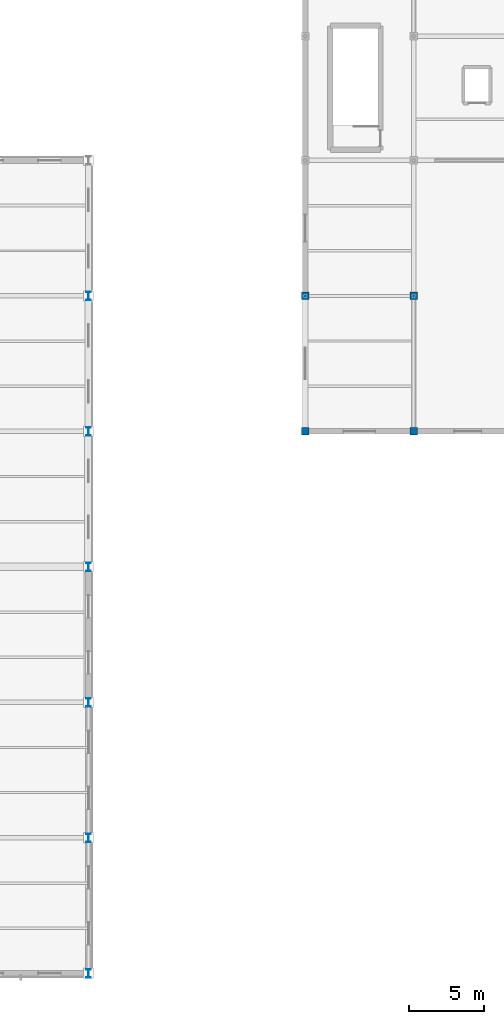
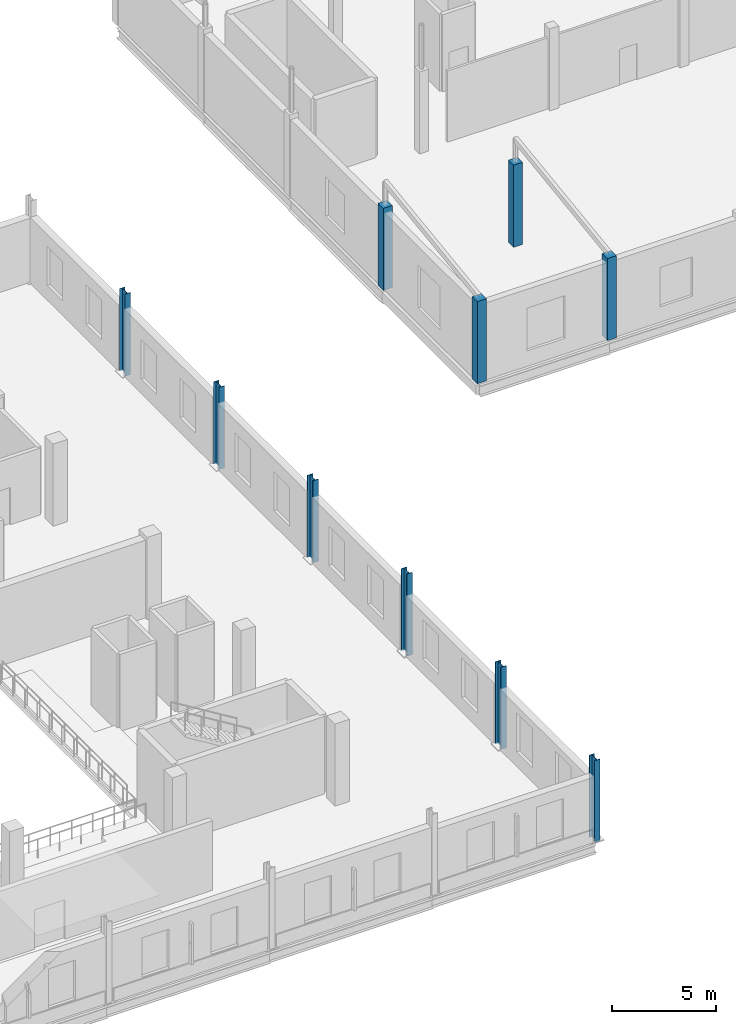
# One storey, part 3 of 35: 10 columns.
"""IFC4 building model written with IfcOpenShell, lengths in metres."""

from ifc_helpers import new_model, si_unit, direction, frame, origin, origin_2d, place, context, subcontext, project, spatial, rectangle, i_section, extrude, material, material_profile, profile_set, type_object, element, save


model = new_model("IFC4")

# Units and contexts
model_context = context("Model", 3, precision=1e-05, world=origin(), true_north=direction((0.0, 1.0)))
body_context = subcontext(model_context, "Body", "Model", "MODEL_VIEW")
ifc_project = project(units=[si_unit("LENGTHUNIT", "METRE"), si_unit("AREAUNIT", "SQUARE_METRE"), si_unit("VOLUMEUNIT", "CUBIC_METRE"), si_unit("PLANEANGLEUNIT", "RADIAN"), si_unit("MASSUNIT", "GRAM", prefix="KILO")], contexts=[model_context])

# Site, building, storey
site_placement = place(None, origin())
site = spatial("IfcSite", under=ifc_project, at=site_placement, CompositionType="ELEMENT")
building_placement = place(site_placement, origin())
building = spatial("IfcBuilding", under=site, at=building_placement, Name="Sundgate Opera House", CompositionType="ELEMENT")
storey_placement = place(building_placement, frame((0.0, 0.0, 21.60009765625)))
storey = spatial("IfcBuildingStorey", under=building, at=storey_placement, Name="L04", CompositionType="ELEMENT", Elevation=21.60009765625)

# Columns
ifc_material_1 = material(Name="Concrete C35/45", Category="concrete")
ifc_material_profile_1 = material_profile(ifc_material_1, rectangle(XDim=0.5, YDim=0.5, at=origin_2d()), Name="RC 500x500")
ifc_profile_set_1 = profile_set([ifc_material_profile_1], Name="Concrete C35/45")
column_type_1 = type_object("IfcColumnType", Name="CL-RC-500", PredefinedType="COLUMN", material=ifc_profile_set_1)
for number, where, z_axis, x_axis, name in (
    (1, (95.39990234375, 69.0, 0.0), (0.0, 0.0, 1.0), (1.0, 0.0, 0.0), "L04 Column C0661"),
    (2, (95.39990234375, 78.0, 0.0), (0.0, 0.0, 1.0), (1.0, 0.0, 0.0), "L04 Column C0667"),
    (3, (102.60009765625, 69.0, 0.0), (0.0, 0.0, 1.0), (1.0, 0.0, 0.0), "L04 Column C0725"),
    (4, (102.60009765625, 78.0, 0.0), (0.0, 0.0, 1.0), (1.0, 0.0, 0.0), "L04 Column C0731"),
):
    element("IfcColumn", number, at=place(storey_placement, frame(where, z_axis=z_axis, x_axis=x_axis)), inside=storey, type_object=column_type_1, Name=name, PredefinedType="COLUMN", context=body_context, shape_type="SweptSolid", body=[
        extrude(rectangle(XDim=0.5, YDim=0.5, at=origin_2d()), origin(), (0.0, 0.0, 1.0), 4.7998046875),
    ])
ifc_material_2 = material(Name="Steel S355J2", Category="steel")
ifc_material_profile_2 = material_profile(ifc_material_2, i_section(OverallWidth=0.300048828125, OverallDepth=0.550048828125, WebThickness=0.014892578125, FlangeThickness=0.029052734375, at=origin_2d()), Name="HEB 550")
ifc_profile_set_2 = profile_set([ifc_material_profile_2], Name="Steel S355J2")
column_type_2 = type_object("IfcColumnType", Name="CL-STL-550", PredefinedType="COLUMN", material=ifc_profile_set_2)
for number, where, z_axis, x_axis, name in (
    (5, (81.0, 33.0, 0.0), (0.0, 0.0, 1.0), (1.0, 0.0, 0.0), "L04 Column C0532"),
    (6, (81.0, 42.0, 0.0), (0.0, 0.0, 1.0), (1.0, 0.0, 0.0), "L04 Column C0537"),
    (7, (81.0, 51.0, 0.0), (0.0, 0.0, 1.0), (1.0, 0.0, 0.0), "L04 Column C0542"),
    (8, (81.0, 60.0, 0.0), (0.0, 0.0, 1.0), (1.0, 0.0, 0.0), "L04 Column C0547"),
    (9, (81.0, 69.0, 0.0), (0.0, 0.0, 1.0), (1.0, 0.0, 0.0), "L04 Column C0553"),
    (10, (81.0, 78.0, 0.0), (0.0, 0.0, 1.0), (1.0, 0.0, 0.0), "L04 Column C0559"),
):
    element("IfcColumn", number, at=place(storey_placement, frame(where, z_axis=z_axis, x_axis=x_axis)), inside=storey, type_object=column_type_2, Name=name, PredefinedType="COLUMN", context=body_context, shape_type="SweptSolid", body=[
        extrude(i_section(OverallWidth=0.300048828125, OverallDepth=0.550048828125, WebThickness=0.014892578125, FlangeThickness=0.029052734375, at=origin_2d()), origin(), (0.0, 0.0, 1.0), 4.7998046875),
    ])

save(model, "model.ifc")
